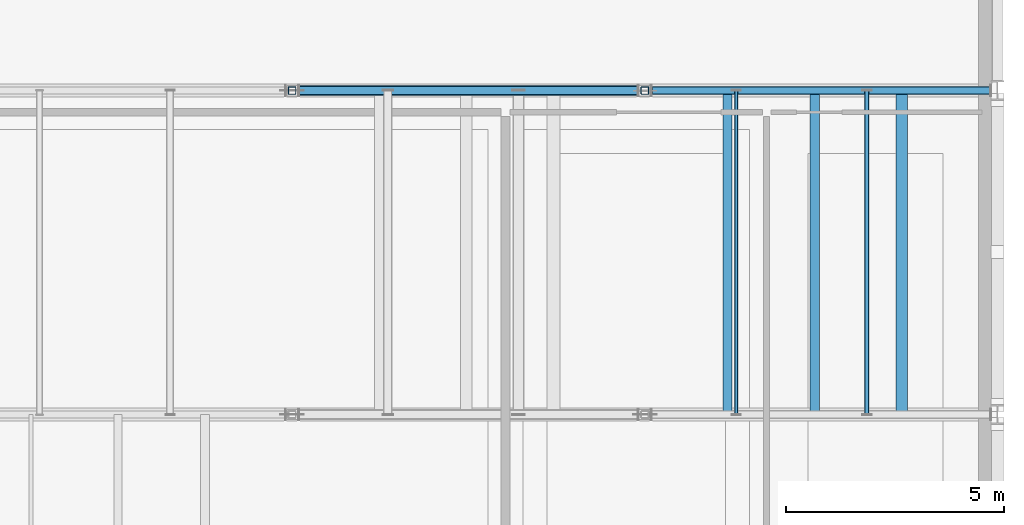
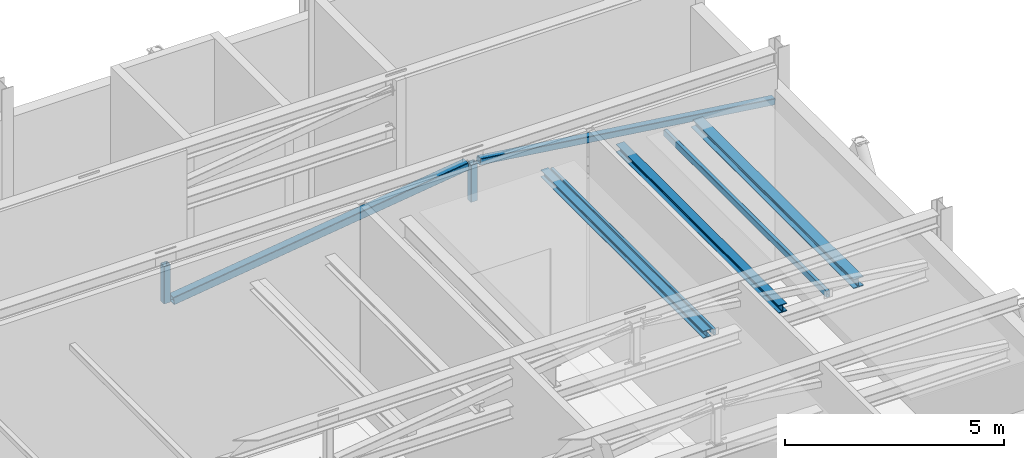
# One storey, part 8 of 21: 6 members, 3 beams.
"""IFC4 building model written with IfcOpenShell, lengths in metres."""

from ifc_helpers import new_model, si_unit, direction, frame, origin, origin_2d, place, context, subcontext, project, spatial, hollow_rectangle, i_section, extrude, material, material_profile, profile_set, type_object, element, save


model = new_model("IFC4")

# Units and contexts
model_context = context("Model", 3, precision=1e-05, world=origin(), true_north=direction((0.0, 1.0)))
body_context = subcontext(model_context, "Body", "Model", "MODEL_VIEW")
ifc_project = project(units=[si_unit("LENGTHUNIT", "METRE"), si_unit("AREAUNIT", "SQUARE_METRE"), si_unit("VOLUMEUNIT", "CUBIC_METRE"), si_unit("PLANEANGLEUNIT", "RADIAN"), si_unit("MASSUNIT", "GRAM", prefix="KILO")], contexts=[model_context])

# Site, building, storey
site_placement = place(None, origin())
site = spatial("IfcSite", under=ifc_project, at=site_placement, CompositionType="ELEMENT")
building_placement = place(site_placement, origin())
building = spatial("IfcBuilding", under=site, at=building_placement, Name="Kaelora Sail Theatre", CompositionType="ELEMENT")
storey_placement = place(building_placement, frame((0.0, 0.0, 27.60009765625)))
storey = spatial("IfcBuildingStorey", under=building, at=storey_placement, Name="L06", CompositionType="ELEMENT", Elevation=27.60009765625)

# Beams
ifc_material_1 = material(Name="Steel S355", Category="steel")
ifc_material_profile_1 = material_profile(ifc_material_1, i_section(OverallWidth=0.199951171875, OverallDepth=0.199951171875, WebThickness=0.009033203125, FlangeThickness=0.014892578125, FilletRadius=0.01806640625, at=origin_2d()), Name="HEB 200")
ifc_profile_set_1 = profile_set([ifc_material_profile_1], Name="Steel S355")
beam_type_1 = type_object("IfcBeamType", Name="STR-BM-BM-HEB200", PredefinedType="BEAM", material=ifc_profile_set_1)
beam_1_placement = place(storey_placement, frame((52.0, 68.4599609375, 4.52978515625), z_axis=(0.0, 1.0, 0.0), x_axis=(-1.0, 0.0, 0.0)))
element("IfcBeam", 1, at=beam_1_placement, inside=storey, type_object=beam_type_1, Name="Fly Tower rigging grid beam 10", PredefinedType="BEAM", context=body_context, shape_type="SweptSolid", body=[
    extrude(i_section(OverallWidth=0.199951171875, OverallDepth=0.199951171875, WebThickness=0.009033203125, FlangeThickness=0.014892578125, FilletRadius=0.01806640625, at=origin_2d()), origin(), (0.0, 0.0, 1.0), 7.43994140625),
])
ifc_material_2 = material(Name="Steel S355", Category="steel")
ifc_material_profile_2 = material_profile(ifc_material_2, i_section(OverallWidth=0.219970703125, OverallDepth=0.219970703125, WebThickness=0.009521484375, FlangeThickness=0.01611328125, FilletRadius=0.01806640625, at=origin_2d()), Name="HEB 220")
ifc_profile_set_2 = profile_set([ifc_material_profile_2], Name="Steel S355")
beam_type_2 = type_object("IfcBeamType", Name="STR-BM-BM-HEB220", PredefinedType="BEAM", material=ifc_profile_set_2)
beam_2_placement = place(storey_placement, frame((54.0, 68.4599609375, 4.539794921875), z_axis=(0.0, 1.0, 0.0), x_axis=(-1.0, 0.0, 0.0)))
element("IfcBeam", 2, at=beam_2_placement, inside=storey, type_object=beam_type_2, Name="Fly Tower rigging grid beam 11", PredefinedType="BEAM", context=body_context, shape_type="SweptSolid", body=[
    extrude(i_section(OverallWidth=0.219970703125, OverallDepth=0.219970703125, WebThickness=0.009521484375, FlangeThickness=0.01611328125, FilletRadius=0.01806640625, at=origin_2d()), origin(), (0.0, 0.0, 1.0), 7.43994140625),
])
ifc_material_3 = material(Name="Steel S355", Category="steel")
ifc_material_profile_3 = material_profile(ifc_material_3, i_section(OverallWidth=0.260009765625, OverallDepth=0.260009765625, WebThickness=0.010009765625, FlangeThickness=0.017578125, FilletRadius=0.02392578125, at=origin_2d()), Name="HEB 260")
ifc_profile_set_3 = profile_set([ifc_material_profile_3], Name="Steel S355")
beam_type_3 = type_object("IfcBeamType", Name="STR-BM-BM-HEB260", PredefinedType="BEAM", material=ifc_profile_set_3)
beam_3_placement = place(storey_placement, frame((56.0, 68.4599609375, 4.559814453125), z_axis=(0.0, 1.0, 0.0), x_axis=(-1.0, 0.0, 0.0)))
element("IfcBeam", 3, at=beam_3_placement, inside=storey, type_object=beam_type_3, Name="Fly Tower rigging grid beam 12", PredefinedType="BEAM", context=body_context, shape_type="SweptSolid", body=[
    extrude(i_section(OverallWidth=0.260009765625, OverallDepth=0.260009765625, WebThickness=0.010009765625, FlangeThickness=0.017578125, FilletRadius=0.02392578125, at=origin_2d()), origin(), (0.0, 0.0, 1.0), 7.43994140625),
])

# Members
ifc_material_4 = material(Name="Steel S355", Category="steel")
ifc_material_profile_4 = material_profile(ifc_material_4, hollow_rectangle(XDim=0.080078125, YDim=0.159912109375, WallThickness=0.00634765625, InnerFilletRadius=0.00634765625, OuterFilletRadius=0.0126953125, at=origin_2d()), Name="RHS 160x80x6.3")
ifc_profile_set_4 = profile_set([ifc_material_profile_4], Name="Steel S355")
member_type_1 = type_object("IfcMemberType", Name="STR-MEM-BR-RHS160", PredefinedType="BRACE", material=ifc_profile_set_4)
member_1_placement = place(storey_placement, frame((52.199951171875, 68.4599609375, 4.510009765625), z_axis=(0.0, 1.0, 0.0), x_axis=(-1.0, 0.0, 0.0)))
element("IfcMember", 4, at=member_1_placement, inside=storey, type_object=member_type_1, Name="HTB-01 Fly Tower headblock tie brace 08", PredefinedType="BRACE", context=body_context, shape_type="SweptSolid", body=[
    extrude(hollow_rectangle(XDim=0.080078125, YDim=0.159912109375, WallThickness=0.00634765625, InnerFilletRadius=0.00634765625, OuterFilletRadius=0.0126953125, at=origin_2d()), origin(), (0.0, 0.0, 1.0), 7.43994140625),
])
ifc_material_5 = material(Name="Steel S355", Category="steel")
ifc_material_profile_5 = material_profile(ifc_material_5, hollow_rectangle(XDim=0.10009765625, YDim=0.179931640625, WallThickness=0.008056640625, InnerFilletRadius=0.008056640625, OuterFilletRadius=0.01611328125, at=origin_2d()), Name="RHS 180x100x8.0")
ifc_profile_set_5 = profile_set([ifc_material_profile_5], Name="Steel S355")
member_type_2 = type_object("IfcMemberType", Name="STR-MEM-BR-RHS180", PredefinedType="BRACE", material=ifc_profile_set_5)
member_2_placement = place(storey_placement, frame((55.199951171875, 68.4599609375, 4.52001953125), z_axis=(0.0, 1.0, 0.0), x_axis=(-1.0, 0.0, 0.0)))
element("IfcMember", 5, at=member_2_placement, inside=storey, type_object=member_type_2, Name="HTB-01 Fly Tower headblock tie brace 09", PredefinedType="BRACE", context=body_context, shape_type="SweptSolid", body=[
    extrude(hollow_rectangle(XDim=0.10009765625, YDim=0.179931640625, WallThickness=0.008056640625, InnerFilletRadius=0.008056640625, OuterFilletRadius=0.01611328125, at=origin_2d()), origin(), (0.0, 0.0, 1.0), 7.43994140625),
])
ifc_material_6 = material(Name="Steel S355", Category="steel")
ifc_material_profile_6 = material_profile(ifc_material_6, hollow_rectangle(XDim=0.179931640625, YDim=0.179931640625, WallThickness=0.010009765625, InnerFilletRadius=0.010009765625, OuterFilletRadius=0.02001953125, at=origin_2d()), Name="SHS 180x180x10.0")
ifc_profile_set_6 = profile_set([ifc_material_profile_6], Name="Steel S355")
member_type_3 = type_object("IfcMemberType", Name="STR-MEM-ST-SHS180", PredefinedType="STRUT", material=ifc_profile_set_6)
member_3_placement = place(storey_placement, frame((50.260009765625, 75.89990234375, 5.469970703125), z_axis=(0.99118274936, 0.0, -0.132501914591), x_axis=(0.0, 1.0, 0.0)))
element("IfcMember", 6, at=member_3_placement, inside=storey, type_object=member_type_3, Name="TDG-01 Fly Tower truss 3 web diagonal 4", PredefinedType="STRUT", context=body_context, shape_type="SweptSolid", body=[
    extrude(hollow_rectangle(XDim=0.179931640625, YDim=0.179931640625, WallThickness=0.010009765625, InnerFilletRadius=0.010009765625, OuterFilletRadius=0.02001953125, at=origin_2d()), origin(), (0.0, 0.0, 1.0), 7.84912109375),
])
for number, where, z_axis, x_axis, name in (
    (7, (42.0, 75.89990234375, 4.429931640625), (0.0, 0.0, 1.0), (1.0, 0.0, 0.0), "TVT-01 Fly Tower truss 3 vertical strut 2"),
    (8, (50.10009765625, 75.89990234375, 4.429931640625), (0.0, 0.0, 1.0), (1.0, 0.0, 0.0), "TVT-01 Fly Tower truss 3 vertical strut 3"),
):
    element("IfcMember", number, at=place(storey_placement, frame(where, z_axis=z_axis, x_axis=x_axis)), inside=storey, type_object=member_type_3, Name=name, PredefinedType="STRUT", context=body_context, shape_type="SweptSolid", body=[
        extrude(hollow_rectangle(XDim=0.179931640625, YDim=0.179931640625, WallThickness=0.010009765625, InnerFilletRadius=0.010009765625, OuterFilletRadius=0.02001953125, at=origin_2d()), origin(), (0.0, 0.0, 1.0), 1.0400390625),
    ])
ifc_material_7 = material(Name="Steel S355", Category="steel")
ifc_material_profile_7 = material_profile(ifc_material_7, hollow_rectangle(XDim=0.219970703125, YDim=0.219970703125, WallThickness=0.012451171875, InnerFilletRadius=0.012451171875, OuterFilletRadius=0.02490234375, at=origin_2d()), Name="SHS 220x220x12.5")
ifc_profile_set_7 = profile_set([ifc_material_profile_7], Name="Steel S355")
member_type_4 = type_object("IfcMemberType", Name="STR-MEM-ST-SHS220", PredefinedType="STRUT", material=ifc_profile_set_7)
member_4_placement = place(storey_placement, frame((42.159912109375, 75.89990234375, 4.429931640625), z_axis=(0.99118274936, 0.0, 0.132501914591), x_axis=(0.0, 1.0, 0.0)))
element("IfcMember", 9, at=member_4_placement, inside=storey, type_object=member_type_4, Name="TDG-01 Fly Tower truss 3 web diagonal 3", PredefinedType="STRUT", context=body_context, shape_type="SweptSolid", body=[
    extrude(hollow_rectangle(XDim=0.219970703125, YDim=0.219970703125, WallThickness=0.012451171875, InnerFilletRadius=0.012451171875, OuterFilletRadius=0.02490234375, at=origin_2d()), origin(), (0.0, 0.0, 1.0), 7.84912109375),
])

save(model, "model.ifc")
